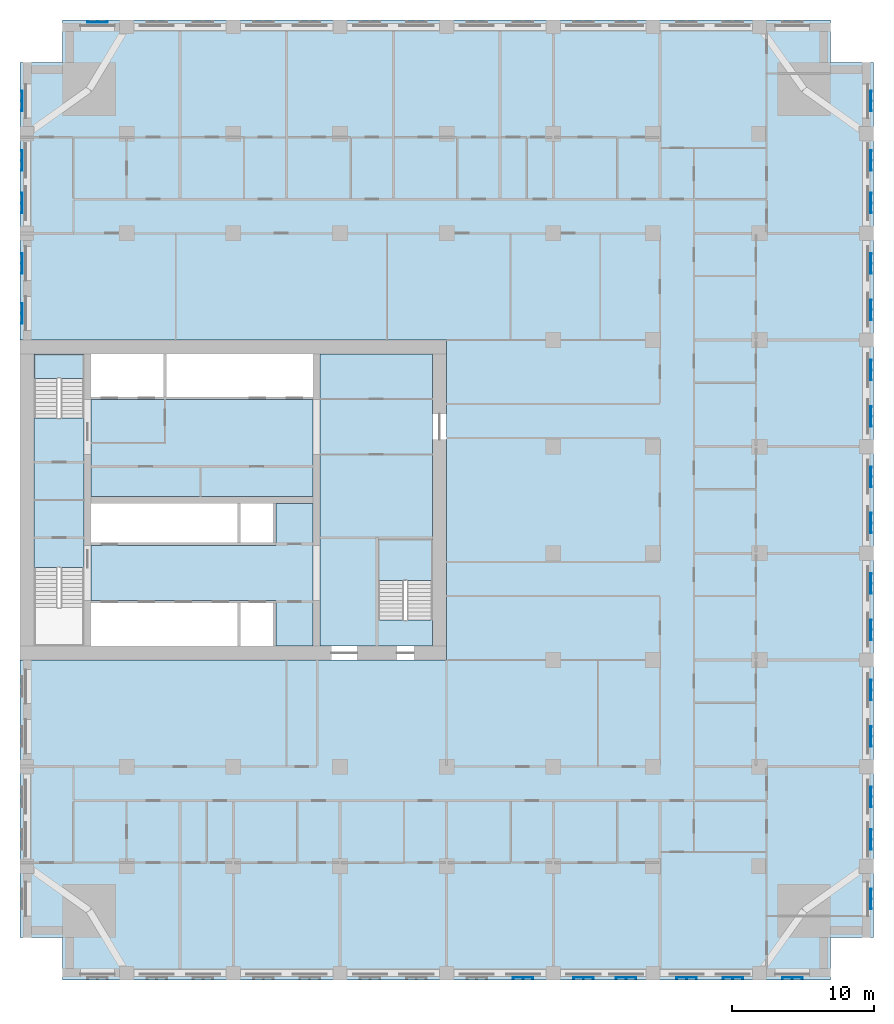
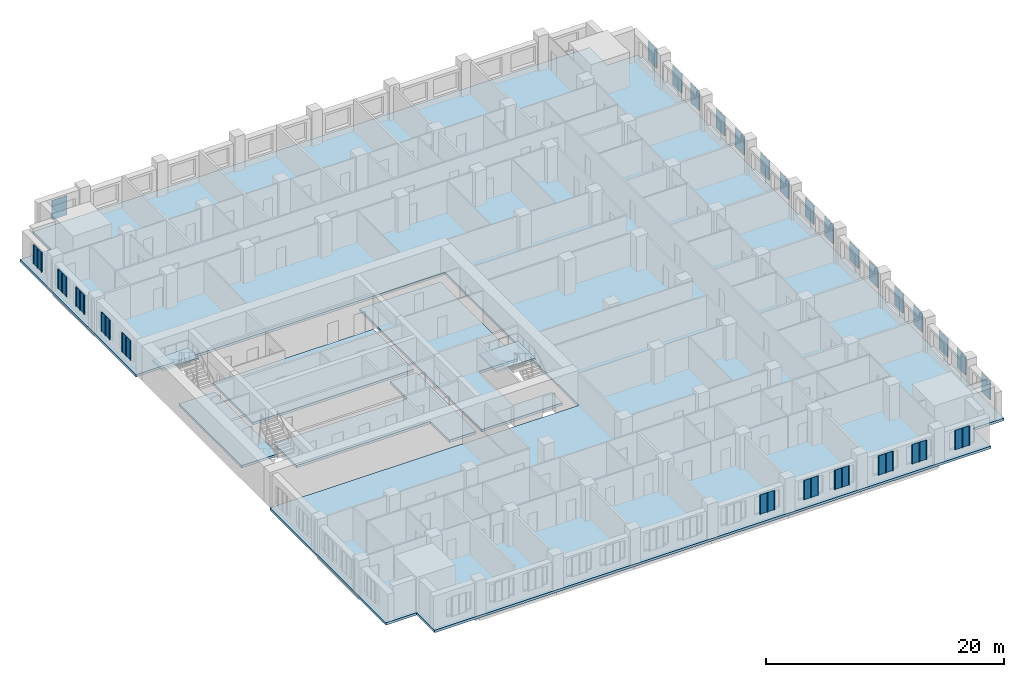
# One storey, part 2 of 14: 28 plates, 7 slabs, 2 elements without a shape of their own.
"""IFC4 building model written with IfcOpenShell, lengths in metres."""

from ifc_helpers import new_model, si_unit, direction, frame, origin, place, context, subcontext, project, spatial, polyline, outline, extrude, material, layer, layer_set, type_object, element, aggregate, save


model = new_model("IFC4")

# Units and contexts
model_context = context("Model", 3, precision=1e-05, world=origin(), true_north=direction((0.0, 1.0)))
body_context = subcontext(model_context, "Body", "Model", "MODEL_VIEW")
ifc_project = project(units=[si_unit("LENGTHUNIT", "METRE"), si_unit("AREAUNIT", "SQUARE_METRE"), si_unit("VOLUMEUNIT", "CUBIC_METRE"), si_unit("PLANEANGLEUNIT", "RADIAN"), si_unit("MASSUNIT", "GRAM", prefix="KILO")], contexts=[model_context])

# Site, building, storey
site_placement = place(None, origin())
site = spatial("IfcSite", under=ifc_project, at=site_placement, CompositionType="ELEMENT")
building_placement = place(site_placement, origin())
building = spatial("IfcBuilding", under=site, at=building_placement, Name="Tamorin Gate", CompositionType="ELEMENT")
storey_placement = place(building_placement, frame((0.0, 0.0, 86.300048828125)))
storey = spatial("IfcBuildingStorey", under=building, at=storey_placement, Name="L20", CompositionType="ELEMENT", Elevation=86.300048828125)

# Slabs
ifc_material_1 = material(Name="Concrete C40/50", Category="concrete")
ifc_layer_1 = layer(ifc_material_1, 0.25)
ifc_layer_set_1 = layer_set([ifc_layer_1], Name="Core floor slab 250 C40/50")
slab_type_1 = type_object("IfcSlabType", Name="Core floor slab 250 C40/50", PredefinedType="FLOOR", material=ifc_layer_set_1)
slab_1_placement = place(storey_placement, frame((0.0, 0.0, -0.25)))
element("IfcSlab", 1, at=slab_1_placement, inside=storey, type_object=slab_type_1, Name="Core floor L20", PredefinedType="FLOOR", context=body_context, shape_type="SweptSolid", body=[
    extrude(outline(polyline([(59.0, 62.800048828125), (59.0, 61.0), (51.10009765625, 61.0), (51.10009765625, 81.5), (59.0, 81.5), (59.0, 68.5), (55.199951171875, 68.5), (55.199951171875, 62.800048828125), (59.0, 62.800048828125)])), origin(), (0.0, 0.0, 1.0), 0.25),
])
slab_2_placement = place(storey_placement, frame((0.0, 0.0, -0.25)))
element("IfcSlab", 2, at=slab_2_placement, inside=storey, type_object=slab_type_1, Name="Core floor L20", PredefinedType="FLOOR", context=body_context, shape_type="SweptSolid", body=[
    extrude(outline(polyline([(50.60009765625, 61.0), (48.0, 61.0), (48.0, 64.199951171875), (35.0, 64.199951171875), (35.0, 68.050048828125), (48.0, 68.050048828125), (48.0, 71.0), (50.60009765625, 71.0), (50.60009765625, 61.0)])), origin(), (0.0, 0.0, 1.0), 0.25),
])
slab_3_placement = place(storey_placement, frame((0.0, 0.0, -0.25)))
element("IfcSlab", 3, at=slab_3_placement, inside=storey, type_object=slab_type_1, Name="Core floor L20", PredefinedType="FLOOR", context=body_context, shape_type="SweptSolid", body=[
    extrude(outline(polyline([(50.60009765625, 71.5), (35.0, 71.5), (35.0, 78.300048828125), (50.60009765625, 78.300048828125), (50.60009765625, 71.5)])), origin(), (0.0, 0.0, 1.0), 0.25),
])
slab_4_placement = place(storey_placement, frame((0.0, 0.0, -0.25)))
element("IfcSlab", 4, at=slab_4_placement, inside=storey, type_object=slab_type_1, Name="Core floor L20", PredefinedType="FLOOR", context=body_context, shape_type="SweptSolid", body=[
    extrude(outline(polyline([(31.0, 66.5), (31.0, 77.0), (34.5, 77.0), (34.5, 66.5), (31.0, 66.5)])), origin(), (0.0, 0.0, 1.0), 0.25),
])

# Stair, slab
stair_type = type_object("IfcStairType", Name="Exit stair", PredefinedType="HALF_TURN_STAIR", material=ifc_material_1)
stair_1_placement = place(storey_placement, origin())
stair_1 = element("IfcStair", 5, at=stair_1_placement, inside=storey, type_object=stair_type, Name="L20 stair ST2", PredefinedType="HALF_TURN_STAIR")
ifc_layer_2 = layer(ifc_material_1, 0.199951171875)
ifc_layer_set_2 = layer_set([ifc_layer_2], Name="Exit stair landing 200")
slab_type_2 = type_object("IfcSlabType", Name="Exit stair landing 200", PredefinedType="LANDING", material=ifc_layer_set_2)
slab_5_placement = place(storey_placement, frame((0.0, 0.0, 1.599853515625)))
slab_5 = element("IfcSlab", 6, at=slab_5_placement, type_object=slab_type_2, Name="ST2 landing 1", PredefinedType="LANDING", context=body_context, shape_type="SweptSolid", body=[
    extrude(outline(polyline([(34.5, 79.800048828125), (34.5, 81.5), (31.0, 81.5), (31.0, 79.800048828125), (34.5, 79.800048828125)])), origin(), (0.0, 0.0, 1.0), 0.2001953125),
])
aggregate(stair_1, [slab_5])

stair_2_placement = place(storey_placement, origin())
stair_2 = element("IfcStair", 7, at=stair_2_placement, inside=storey, type_object=stair_type, Name="L20 stair ST3", PredefinedType="HALF_TURN_STAIR")
slab_6_placement = place(storey_placement, frame((0.0, 0.0, 1.599853515625)))
slab_6 = element("IfcSlab", 8, at=slab_6_placement, type_object=slab_type_2, Name="ST3 landing 1", PredefinedType="LANDING", context=body_context, shape_type="SweptSolid", body=[
    extrude(outline(polyline([(59.0, 65.60009765625), (59.0, 68.5), (55.199951171875, 68.5), (55.199951171875, 65.60009765625), (59.0, 65.60009765625)])), origin(), (0.0, 0.0, 1.0), 0.2001953125),
])
aggregate(stair_2, [slab_6])

# Slab
ifc_layer_3 = layer(ifc_material_1, 0.25)
ifc_layer_set_3 = layer_set([ifc_layer_3], Name="Floor slab 250 C40/50")
slab_type_3 = type_object("IfcSlabType", Name="Floor slab 250 C40/50", PredefinedType="FLOOR", material=ifc_layer_set_3)
slab_7_placement = place(storey_placement, frame((0.0, 0.0, -0.25)))
element("IfcSlab", 9, at=slab_7_placement, inside=storey, type_object=slab_type_3, Name="Floor L20", PredefinedType="FLOOR", context=body_context, shape_type="SweptSolid", body=[
    extrude(outline(polyline([(30.0, 102.0), (33.0, 102.0), (33.0, 105.0), (87.0, 105.0), (87.0, 102.0), (90.0, 102.0), (90.0, 40.5), (87.0, 40.5), (87.0, 37.5), (33.0, 37.5), (33.0, 40.5), (30.0, 40.5), (30.0, 60.0), (60.0, 60.0), (60.0, 82.5), (30.0, 82.5), (30.0, 102.0)])), origin(), (0.0, 0.0, 1.0), 0.25),
])

# Plates
ifc_material_2 = material(Name="Perforated pale aluminium sheet", Category="aluminium")
ifc_layer_4 = layer(ifc_material_2, 0.0400390625)
ifc_layer_set_4 = layer_set([ifc_layer_4], Name="Pale metal solar screen 1440")
plate_type = type_object("IfcPlateType", Name="Pale metal solar screen 1440", PredefinedType="SHEET", material=ifc_layer_set_4)
plate_1_placement = place(storey_placement, frame((0.0, 0.0, 0.7099609375)))
element("IfcPlate", 10, at=plate_1_placement, inside=storey, type_object=plate_type, Name="Perforated solar screen", PredefinedType="SHEET", context=body_context, shape_type="SweptSolid", body=[
    extrude(outline(polyline([(64.655029296875, 37.659912109375), (64.655029296875, 37.699951171875), (64.715087890625, 37.699951171875), (65.344970703125, 37.699951171875), (65.405029296875, 37.699951171875), (66.034912109375, 37.699951171875), (66.094970703125, 37.699951171875), (66.094970703125, 37.659912109375), (66.094970703125, 37.60009765625), (66.034912109375, 37.60009765625), (66.034912109375, 37.659912109375), (65.405029296875, 37.659912109375), (65.405029296875, 37.60009765625), (65.344970703125, 37.60009765625), (65.344970703125, 37.659912109375), (64.715087890625, 37.659912109375), (64.715087890625, 37.60009765625), (64.655029296875, 37.60009765625), (64.655029296875, 37.659912109375)])), origin(), (0.0, 0.0, 1.0), 1.97998046875),
])
plate_2_placement = place(storey_placement, frame((0.0, 0.0, 0.7099609375)))
element("IfcPlate", 11, at=plate_2_placement, inside=storey, type_object=plate_type, Name="Perforated solar screen", PredefinedType="SHEET", context=body_context, shape_type="SweptSolid", body=[
    extrude(outline(polyline([(68.905029296875, 37.659912109375), (68.905029296875, 37.699951171875), (68.965087890625, 37.699951171875), (69.594970703125, 37.699951171875), (69.655029296875, 37.699951171875), (70.284912109375, 37.699951171875), (70.344970703125, 37.699951171875), (70.344970703125, 37.659912109375), (70.344970703125, 37.60009765625), (70.284912109375, 37.60009765625), (70.284912109375, 37.659912109375), (69.655029296875, 37.659912109375), (69.655029296875, 37.60009765625), (69.594970703125, 37.60009765625), (69.594970703125, 37.659912109375), (68.965087890625, 37.659912109375), (68.965087890625, 37.60009765625), (68.905029296875, 37.60009765625), (68.905029296875, 37.659912109375)])), origin(), (0.0, 0.0, 1.0), 1.97998046875),
])
plate_3_placement = place(storey_placement, frame((0.0, 0.0, 0.7099609375)))
element("IfcPlate", 12, at=plate_3_placement, inside=storey, type_object=plate_type, Name="Perforated solar screen", PredefinedType="SHEET", context=body_context, shape_type="SweptSolid", body=[
    extrude(outline(polyline([(71.905029296875, 37.659912109375), (71.905029296875, 37.699951171875), (71.965087890625, 37.699951171875), (72.594970703125, 37.699951171875), (72.655029296875, 37.699951171875), (73.284912109375, 37.699951171875), (73.344970703125, 37.699951171875), (73.344970703125, 37.659912109375), (73.344970703125, 37.60009765625), (73.284912109375, 37.60009765625), (73.284912109375, 37.659912109375), (72.655029296875, 37.659912109375), (72.655029296875, 37.60009765625), (72.594970703125, 37.60009765625), (72.594970703125, 37.659912109375), (71.965087890625, 37.659912109375), (71.965087890625, 37.60009765625), (71.905029296875, 37.60009765625), (71.905029296875, 37.659912109375)])), origin(), (0.0, 0.0, 1.0), 1.97998046875),
])
plate_4_placement = place(storey_placement, frame((0.0, 0.0, 0.7099609375)))
element("IfcPlate", 13, at=plate_4_placement, inside=storey, type_object=plate_type, Name="Perforated solar screen", PredefinedType="SHEET", context=body_context, shape_type="SweptSolid", body=[
    extrude(outline(polyline([(76.155029296875, 37.659912109375), (76.155029296875, 37.699951171875), (76.215087890625, 37.699951171875), (76.844970703125, 37.699951171875), (76.905029296875, 37.699951171875), (77.534912109375, 37.699951171875), (77.594970703125, 37.699951171875), (77.594970703125, 37.659912109375), (77.594970703125, 37.60009765625), (77.534912109375, 37.60009765625), (77.534912109375, 37.659912109375), (76.905029296875, 37.659912109375), (76.905029296875, 37.60009765625), (76.844970703125, 37.60009765625), (76.844970703125, 37.659912109375), (76.215087890625, 37.659912109375), (76.215087890625, 37.60009765625), (76.155029296875, 37.60009765625), (76.155029296875, 37.659912109375)])), origin(), (0.0, 0.0, 1.0), 1.97998046875),
])
plate_5_placement = place(storey_placement, frame((0.0, 0.0, 0.7099609375)))
element("IfcPlate", 14, at=plate_5_placement, inside=storey, type_object=plate_type, Name="Perforated solar screen", PredefinedType="SHEET", context=body_context, shape_type="SweptSolid", body=[
    extrude(outline(polyline([(79.405029296875, 37.659912109375), (79.405029296875, 37.699951171875), (79.465087890625, 37.699951171875), (80.094970703125, 37.699951171875), (80.155029296875, 37.699951171875), (80.784912109375, 37.699951171875), (80.844970703125, 37.699951171875), (80.844970703125, 37.659912109375), (80.844970703125, 37.60009765625), (80.784912109375, 37.60009765625), (80.784912109375, 37.659912109375), (80.155029296875, 37.659912109375), (80.155029296875, 37.60009765625), (80.094970703125, 37.60009765625), (80.094970703125, 37.659912109375), (79.465087890625, 37.659912109375), (79.465087890625, 37.60009765625), (79.405029296875, 37.60009765625), (79.405029296875, 37.659912109375)])), origin(), (0.0, 0.0, 1.0), 1.97998046875),
])
plate_6_placement = place(storey_placement, frame((0.0, 0.0, 0.7099609375)))
element("IfcPlate", 15, at=plate_6_placement, inside=storey, type_object=plate_type, Name="Perforated solar screen", PredefinedType="SHEET", context=body_context, shape_type="SweptSolid", body=[
    extrude(outline(polyline([(83.580078125, 37.659912109375), (83.580078125, 37.699951171875), (83.639892578125, 37.699951171875), (84.27001953125, 37.699951171875), (84.330078125, 37.699951171875), (84.9599609375, 37.699951171875), (85.02001953125, 37.699951171875), (85.02001953125, 37.659912109375), (85.02001953125, 37.60009765625), (84.9599609375, 37.60009765625), (84.9599609375, 37.659912109375), (84.330078125, 37.659912109375), (84.330078125, 37.60009765625), (84.27001953125, 37.60009765625), (84.27001953125, 37.659912109375), (83.639892578125, 37.659912109375), (83.639892578125, 37.60009765625), (83.580078125, 37.60009765625), (83.580078125, 37.659912109375)])), origin(), (0.0, 0.0, 1.0), 1.97998046875),
])
plate_7_placement = place(storey_placement, frame((0.0, 0.0, 0.7099609375)))
element("IfcPlate", 16, at=plate_7_placement, inside=storey, type_object=plate_type, Name="Perforated solar screen", PredefinedType="SHEET", context=body_context, shape_type="SweptSolid", body=[
    extrude(outline(polyline([(89.840087890625, 42.47998046875), (89.800048828125, 42.47998046875), (89.800048828125, 42.5400390625), (89.800048828125, 43.169921875), (89.800048828125, 43.22998046875), (89.800048828125, 43.860107421875), (89.800048828125, 43.919921875), (89.840087890625, 43.919921875), (89.89990234375, 43.919921875), (89.89990234375, 43.860107421875), (89.840087890625, 43.860107421875), (89.840087890625, 43.22998046875), (89.89990234375, 43.22998046875), (89.89990234375, 43.169921875), (89.840087890625, 43.169921875), (89.840087890625, 42.5400390625), (89.89990234375, 42.5400390625), (89.89990234375, 42.47998046875), (89.840087890625, 42.47998046875)])), origin(), (0.0, 0.0, 1.0), 1.97998046875),
])
plate_8_placement = place(storey_placement, frame((0.0, 0.0, 0.7099609375)))
element("IfcPlate", 17, at=plate_8_placement, inside=storey, type_object=plate_type, Name="Perforated solar screen", PredefinedType="SHEET", context=body_context, shape_type="SweptSolid", body=[
    extrude(outline(polyline([(89.840087890625, 46.655029296875), (89.800048828125, 46.655029296875), (89.800048828125, 46.715087890625), (89.800048828125, 47.344970703125), (89.800048828125, 47.405029296875), (89.800048828125, 48.034912109375), (89.800048828125, 48.094970703125), (89.800048828125, 48.094970703125), (89.840087890625, 48.094970703125), (89.840087890625, 48.094970703125), (89.89990234375, 48.094970703125), (89.89990234375, 48.034912109375), (89.840087890625, 48.034912109375), (89.840087890625, 47.405029296875), (89.89990234375, 47.405029296875), (89.89990234375, 47.344970703125), (89.840087890625, 47.344970703125), (89.840087890625, 46.715087890625), (89.89990234375, 46.715087890625), (89.89990234375, 46.655029296875), (89.840087890625, 46.655029296875)])), origin(), (0.0, 0.0, 1.0), 1.97998046875),
])
plate_9_placement = place(storey_placement, frame((0.0, 0.0, 0.7099609375)))
element("IfcPlate", 18, at=plate_9_placement, inside=storey, type_object=plate_type, Name="Perforated solar screen", PredefinedType="SHEET", context=body_context, shape_type="SweptSolid", body=[
    extrude(outline(polyline([(89.840087890625, 49.655029296875), (89.800048828125, 49.655029296875), (89.800048828125, 49.715087890625), (89.800048828125, 50.344970703125), (89.800048828125, 50.405029296875), (89.800048828125, 51.034912109375), (89.800048828125, 51.094970703125), (89.840087890625, 51.094970703125), (89.89990234375, 51.094970703125), (89.89990234375, 51.034912109375), (89.840087890625, 51.034912109375), (89.840087890625, 50.405029296875), (89.89990234375, 50.405029296875), (89.89990234375, 50.344970703125), (89.840087890625, 50.344970703125), (89.840087890625, 49.715087890625), (89.89990234375, 49.715087890625), (89.89990234375, 49.655029296875), (89.840087890625, 49.655029296875)])), origin(), (0.0, 0.0, 1.0), 1.97998046875),
])
plate_10_placement = place(storey_placement, frame((0.0, 0.0, 0.7099609375)))
element("IfcPlate", 19, at=plate_10_placement, inside=storey, type_object=plate_type, Name="Perforated solar screen", PredefinedType="SHEET", context=body_context, shape_type="SweptSolid", body=[
    extrude(outline(polyline([(89.840087890625, 53.905029296875), (89.800048828125, 53.905029296875), (89.800048828125, 53.965087890625), (89.800048828125, 54.594970703125), (89.800048828125, 54.655029296875), (89.800048828125, 55.284912109375), (89.800048828125, 55.344970703125), (89.840087890625, 55.344970703125), (89.89990234375, 55.344970703125), (89.89990234375, 55.284912109375), (89.840087890625, 55.284912109375), (89.840087890625, 54.655029296875), (89.89990234375, 54.655029296875), (89.89990234375, 54.594970703125), (89.840087890625, 54.594970703125), (89.840087890625, 53.965087890625), (89.89990234375, 53.965087890625), (89.89990234375, 53.905029296875), (89.840087890625, 53.905029296875)])), origin(), (0.0, 0.0, 1.0), 1.97998046875),
])
plate_11_placement = place(storey_placement, frame((0.0, 0.0, 0.7099609375)))
element("IfcPlate", 20, at=plate_11_placement, inside=storey, type_object=plate_type, Name="Perforated solar screen", PredefinedType="SHEET", context=body_context, shape_type="SweptSolid", body=[
    extrude(outline(polyline([(89.840087890625, 57.155029296875), (89.800048828125, 57.155029296875), (89.800048828125, 57.215087890625), (89.800048828125, 57.844970703125), (89.800048828125, 57.905029296875), (89.800048828125, 58.534912109375), (89.800048828125, 58.594970703125), (89.840087890625, 58.594970703125), (89.89990234375, 58.594970703125), (89.89990234375, 58.534912109375), (89.840087890625, 58.534912109375), (89.840087890625, 57.905029296875), (89.89990234375, 57.905029296875), (89.89990234375, 57.844970703125), (89.840087890625, 57.844970703125), (89.840087890625, 57.215087890625), (89.89990234375, 57.215087890625), (89.89990234375, 57.155029296875), (89.840087890625, 57.155029296875)])), origin(), (0.0, 0.0, 1.0), 1.97998046875),
])
plate_12_placement = place(storey_placement, frame((0.0, 0.0, 0.7099609375)))
element("IfcPlate", 21, at=plate_12_placement, inside=storey, type_object=plate_type, Name="Perforated solar screen", PredefinedType="SHEET", context=body_context, shape_type="SweptSolid", body=[
    extrude(outline(polyline([(89.840087890625, 61.405029296875), (89.800048828125, 61.405029296875), (89.800048828125, 61.465087890625), (89.800048828125, 62.094970703125), (89.800048828125, 62.155029296875), (89.800048828125, 62.784912109375), (89.800048828125, 62.844970703125), (89.840087890625, 62.844970703125), (89.89990234375, 62.844970703125), (89.89990234375, 62.784912109375), (89.840087890625, 62.784912109375), (89.840087890625, 62.155029296875), (89.89990234375, 62.155029296875), (89.89990234375, 62.094970703125), (89.840087890625, 62.094970703125), (89.840087890625, 61.465087890625), (89.89990234375, 61.465087890625), (89.89990234375, 61.405029296875), (89.840087890625, 61.405029296875)])), origin(), (0.0, 0.0, 1.0), 1.97998046875),
])
plate_13_placement = place(storey_placement, frame((0.0, 0.0, 0.7099609375)))
element("IfcPlate", 22, at=plate_13_placement, inside=storey, type_object=plate_type, Name="Perforated solar screen", PredefinedType="SHEET", context=body_context, shape_type="SweptSolid", body=[
    extrude(outline(polyline([(89.840087890625, 64.655029296875), (89.800048828125, 64.655029296875), (89.800048828125, 64.715087890625), (89.800048828125, 65.344970703125), (89.800048828125, 65.405029296875), (89.800048828125, 66.034912109375), (89.800048828125, 66.094970703125), (89.840087890625, 66.094970703125), (89.89990234375, 66.094970703125), (89.89990234375, 66.034912109375), (89.840087890625, 66.034912109375), (89.840087890625, 65.405029296875), (89.89990234375, 65.405029296875), (89.89990234375, 65.344970703125), (89.840087890625, 65.344970703125), (89.840087890625, 64.715087890625), (89.89990234375, 64.715087890625), (89.89990234375, 64.655029296875), (89.840087890625, 64.655029296875)])), origin(), (0.0, 0.0, 1.0), 1.97998046875),
])
plate_14_placement = place(storey_placement, frame((0.0, 0.0, 0.7099609375)))
element("IfcPlate", 23, at=plate_14_placement, inside=storey, type_object=plate_type, Name="Perforated solar screen", PredefinedType="SHEET", context=body_context, shape_type="SweptSolid", body=[
    extrude(outline(polyline([(89.840087890625, 68.905029296875), (89.800048828125, 68.905029296875), (89.800048828125, 68.965087890625), (89.800048828125, 69.594970703125), (89.800048828125, 69.655029296875), (89.800048828125, 70.284912109375), (89.800048828125, 70.344970703125), (89.840087890625, 70.344970703125), (89.89990234375, 70.344970703125), (89.89990234375, 70.284912109375), (89.840087890625, 70.284912109375), (89.840087890625, 69.655029296875), (89.89990234375, 69.655029296875), (89.89990234375, 69.594970703125), (89.840087890625, 69.594970703125), (89.840087890625, 68.965087890625), (89.89990234375, 68.965087890625), (89.89990234375, 68.905029296875), (89.840087890625, 68.905029296875)])), origin(), (0.0, 0.0, 1.0), 1.97998046875),
])
plate_15_placement = place(storey_placement, frame((0.0, 0.0, 0.7099609375)))
element("IfcPlate", 24, at=plate_15_placement, inside=storey, type_object=plate_type, Name="Perforated solar screen", PredefinedType="SHEET", context=body_context, shape_type="SweptSolid", body=[
    extrude(outline(polyline([(89.840087890625, 72.155029296875), (89.800048828125, 72.155029296875), (89.800048828125, 72.215087890625), (89.800048828125, 72.844970703125), (89.800048828125, 72.905029296875), (89.800048828125, 73.534912109375), (89.800048828125, 73.594970703125), (89.840087890625, 73.594970703125), (89.89990234375, 73.594970703125), (89.89990234375, 73.534912109375), (89.840087890625, 73.534912109375), (89.840087890625, 72.905029296875), (89.89990234375, 72.905029296875), (89.89990234375, 72.844970703125), (89.840087890625, 72.844970703125), (89.840087890625, 72.215087890625), (89.89990234375, 72.215087890625), (89.89990234375, 72.155029296875), (89.840087890625, 72.155029296875)])), origin(), (0.0, 0.0, 1.0), 1.97998046875),
])
plate_16_placement = place(storey_placement, frame((0.0, 0.0, 0.7099609375)))
element("IfcPlate", 25, at=plate_16_placement, inside=storey, type_object=plate_type, Name="Perforated solar screen", PredefinedType="SHEET", context=body_context, shape_type="SweptSolid", body=[
    extrude(outline(polyline([(89.840087890625, 76.405029296875), (89.800048828125, 76.405029296875), (89.800048828125, 76.465087890625), (89.800048828125, 77.094970703125), (89.800048828125, 77.155029296875), (89.800048828125, 77.784912109375), (89.800048828125, 77.844970703125), (89.840087890625, 77.844970703125), (89.89990234375, 77.844970703125), (89.89990234375, 77.784912109375), (89.840087890625, 77.784912109375), (89.840087890625, 77.155029296875), (89.89990234375, 77.155029296875), (89.89990234375, 77.094970703125), (89.840087890625, 77.094970703125), (89.840087890625, 76.465087890625), (89.89990234375, 76.465087890625), (89.89990234375, 76.405029296875), (89.840087890625, 76.405029296875)])), origin(), (0.0, 0.0, 1.0), 1.97998046875),
])
plate_17_placement = place(storey_placement, frame((0.0, 0.0, 0.7099609375)))
element("IfcPlate", 26, at=plate_17_placement, inside=storey, type_object=plate_type, Name="Perforated solar screen", PredefinedType="SHEET", context=body_context, shape_type="SweptSolid", body=[
    extrude(outline(polyline([(89.840087890625, 79.655029296875), (89.800048828125, 79.655029296875), (89.800048828125, 79.715087890625), (89.800048828125, 80.344970703125), (89.800048828125, 80.405029296875), (89.800048828125, 81.034912109375), (89.800048828125, 81.094970703125), (89.840087890625, 81.094970703125), (89.89990234375, 81.094970703125), (89.89990234375, 81.034912109375), (89.840087890625, 81.034912109375), (89.840087890625, 80.405029296875), (89.89990234375, 80.405029296875), (89.89990234375, 80.344970703125), (89.840087890625, 80.344970703125), (89.840087890625, 79.715087890625), (89.89990234375, 79.715087890625), (89.89990234375, 79.655029296875), (89.840087890625, 79.655029296875)])), origin(), (0.0, 0.0, 1.0), 1.97998046875),
])
plate_18_placement = place(storey_placement, frame((0.0, 0.0, 0.7099609375)))
element("IfcPlate", 27, at=plate_18_placement, inside=storey, type_object=plate_type, Name="Perforated solar screen", PredefinedType="SHEET", context=body_context, shape_type="SweptSolid", body=[
    extrude(outline(polyline([(89.840087890625, 83.905029296875), (89.800048828125, 83.905029296875), (89.800048828125, 83.965087890625), (89.800048828125, 84.594970703125), (89.800048828125, 84.655029296875), (89.800048828125, 85.284912109375), (89.800048828125, 85.344970703125), (89.840087890625, 85.344970703125), (89.89990234375, 85.344970703125), (89.89990234375, 85.284912109375), (89.840087890625, 85.284912109375), (89.840087890625, 84.655029296875), (89.89990234375, 84.655029296875), (89.89990234375, 84.594970703125), (89.840087890625, 84.594970703125), (89.840087890625, 83.965087890625), (89.89990234375, 83.965087890625), (89.89990234375, 83.905029296875), (89.840087890625, 83.905029296875)])), origin(), (0.0, 0.0, 1.0), 1.97998046875),
])
plate_19_placement = place(storey_placement, frame((0.0, 0.0, 0.7099609375)))
element("IfcPlate", 28, at=plate_19_placement, inside=storey, type_object=plate_type, Name="Perforated solar screen", PredefinedType="SHEET", context=body_context, shape_type="SweptSolid", body=[
    extrude(outline(polyline([(89.840087890625, 87.155029296875), (89.800048828125, 87.155029296875), (89.800048828125, 87.215087890625), (89.800048828125, 87.844970703125), (89.800048828125, 87.905029296875), (89.800048828125, 88.534912109375), (89.800048828125, 88.594970703125), (89.840087890625, 88.594970703125), (89.89990234375, 88.594970703125), (89.89990234375, 88.534912109375), (89.840087890625, 88.534912109375), (89.840087890625, 87.905029296875), (89.89990234375, 87.905029296875), (89.89990234375, 87.844970703125), (89.840087890625, 87.844970703125), (89.840087890625, 87.215087890625), (89.89990234375, 87.215087890625), (89.89990234375, 87.155029296875), (89.840087890625, 87.155029296875)])), origin(), (0.0, 0.0, 1.0), 1.97998046875),
])
plate_20_placement = place(storey_placement, frame((0.0, 0.0, 0.7099609375)))
element("IfcPlate", 29, at=plate_20_placement, inside=storey, type_object=plate_type, Name="Perforated solar screen", PredefinedType="SHEET", context=body_context, shape_type="SweptSolid", body=[
    extrude(outline(polyline([(89.840087890625, 91.405029296875), (89.800048828125, 91.405029296875), (89.800048828125, 91.465087890625), (89.800048828125, 92.094970703125), (89.800048828125, 92.155029296875), (89.800048828125, 92.784912109375), (89.800048828125, 92.844970703125), (89.840087890625, 92.844970703125), (89.89990234375, 92.844970703125), (89.89990234375, 92.784912109375), (89.840087890625, 92.784912109375), (89.840087890625, 92.155029296875), (89.89990234375, 92.155029296875), (89.89990234375, 92.094970703125), (89.840087890625, 92.094970703125), (89.840087890625, 91.465087890625), (89.89990234375, 91.465087890625), (89.89990234375, 91.405029296875), (89.840087890625, 91.405029296875)])), origin(), (0.0, 0.0, 1.0), 1.97998046875),
])
plate_21_placement = place(storey_placement, frame((0.0, 0.0, 0.7099609375)))
element("IfcPlate", 30, at=plate_21_placement, inside=storey, type_object=plate_type, Name="Perforated solar screen", PredefinedType="SHEET", context=body_context, shape_type="SweptSolid", body=[
    extrude(outline(polyline([(89.840087890625, 94.405029296875), (89.800048828125, 94.405029296875), (89.800048828125, 94.465087890625), (89.800048828125, 95.094970703125), (89.800048828125, 95.155029296875), (89.800048828125, 95.784912109375), (89.800048828125, 95.844970703125), (89.840087890625, 95.844970703125), (89.89990234375, 95.844970703125), (89.89990234375, 95.784912109375), (89.840087890625, 95.784912109375), (89.840087890625, 95.155029296875), (89.89990234375, 95.155029296875), (89.89990234375, 95.094970703125), (89.840087890625, 95.094970703125), (89.840087890625, 94.465087890625), (89.89990234375, 94.465087890625), (89.89990234375, 94.405029296875), (89.840087890625, 94.405029296875)])), origin(), (0.0, 0.0, 1.0), 1.97998046875),
])
plate_22_placement = place(storey_placement, frame((0.0, 0.0, 0.7099609375)))
element("IfcPlate", 31, at=plate_22_placement, inside=storey, type_object=plate_type, Name="Perforated solar screen", PredefinedType="SHEET", context=body_context, shape_type="SweptSolid", body=[
    extrude(outline(polyline([(89.840087890625, 98.580078125), (89.800048828125, 98.580078125), (89.800048828125, 98.639892578125), (89.800048828125, 99.27001953125), (89.800048828125, 99.330078125), (89.800048828125, 99.9599609375), (89.800048828125, 100.02001953125), (89.840087890625, 100.02001953125), (89.89990234375, 100.02001953125), (89.89990234375, 99.9599609375), (89.840087890625, 99.9599609375), (89.840087890625, 99.330078125), (89.89990234375, 99.330078125), (89.89990234375, 99.27001953125), (89.840087890625, 99.27001953125), (89.840087890625, 98.639892578125), (89.89990234375, 98.639892578125), (89.89990234375, 98.580078125), (89.840087890625, 98.580078125)])), origin(), (0.0, 0.0, 1.0), 1.97998046875),
])
plate_23_placement = place(storey_placement, frame((0.0, 0.0, 0.7099609375)))
element("IfcPlate", 32, at=plate_23_placement, inside=storey, type_object=plate_type, Name="Perforated solar screen", PredefinedType="SHEET", context=body_context, shape_type="SweptSolid", body=[
    extrude(outline(polyline([(36.169921875, 104.840087890625), (36.169921875, 104.800048828125), (36.110107421875, 104.800048828125), (35.47998046875, 104.800048828125), (35.419921875, 104.800048828125), (34.7900390625, 104.800048828125), (34.72998046875, 104.800048828125), (34.72998046875, 104.840087890625), (34.72998046875, 104.89990234375), (34.7900390625, 104.89990234375), (34.7900390625, 104.840087890625), (35.419921875, 104.840087890625), (35.419921875, 104.89990234375), (35.47998046875, 104.89990234375), (35.47998046875, 104.840087890625), (36.110107421875, 104.840087890625), (36.110107421875, 104.89990234375), (36.169921875, 104.89990234375), (36.169921875, 104.840087890625)])), origin(), (0.0, 0.0, 1.0), 1.97998046875),
])
plate_24_placement = place(storey_placement, frame((0.0, 0.0, 0.7099609375)))
element("IfcPlate", 33, at=plate_24_placement, inside=storey, type_object=plate_type, Name="Perforated solar screen", PredefinedType="SHEET", context=body_context, shape_type="SweptSolid", body=[
    extrude(outline(polyline([(30.159912109375, 100.02001953125), (30.199951171875, 100.02001953125), (30.199951171875, 99.9599609375), (30.199951171875, 99.330078125), (30.199951171875, 99.27001953125), (30.199951171875, 98.639892578125), (30.199951171875, 98.580078125), (30.159912109375, 98.580078125), (30.10009765625, 98.580078125), (30.10009765625, 98.639892578125), (30.159912109375, 98.639892578125), (30.159912109375, 99.27001953125), (30.10009765625, 99.27001953125), (30.10009765625, 99.330078125), (30.159912109375, 99.330078125), (30.159912109375, 99.9599609375), (30.10009765625, 99.9599609375), (30.10009765625, 100.02001953125), (30.159912109375, 100.02001953125)])), origin(), (0.0, 0.0, 1.0), 1.97998046875),
])
plate_25_placement = place(storey_placement, frame((0.0, 0.0, 0.7099609375)))
element("IfcPlate", 34, at=plate_25_placement, inside=storey, type_object=plate_type, Name="Perforated solar screen", PredefinedType="SHEET", context=body_context, shape_type="SweptSolid", body=[
    extrude(outline(polyline([(30.159912109375, 92.844970703125), (30.199951171875, 92.844970703125), (30.199951171875, 92.784912109375), (30.199951171875, 92.155029296875), (30.199951171875, 92.094970703125), (30.199951171875, 91.465087890625), (30.199951171875, 91.405029296875), (30.159912109375, 91.405029296875), (30.10009765625, 91.405029296875), (30.10009765625, 91.465087890625), (30.159912109375, 91.465087890625), (30.159912109375, 92.094970703125), (30.10009765625, 92.094970703125), (30.10009765625, 92.155029296875), (30.159912109375, 92.155029296875), (30.159912109375, 92.784912109375), (30.10009765625, 92.784912109375), (30.10009765625, 92.844970703125), (30.159912109375, 92.844970703125)])), origin(), (0.0, 0.0, 1.0), 1.97998046875),
])
plate_26_placement = place(storey_placement, frame((0.0, 0.0, 0.7099609375)))
element("IfcPlate", 35, at=plate_26_placement, inside=storey, type_object=plate_type, Name="Perforated solar screen", PredefinedType="SHEET", context=body_context, shape_type="SweptSolid", body=[
    extrude(outline(polyline([(30.159912109375, 95.844970703125), (30.199951171875, 95.844970703125), (30.199951171875, 95.784912109375), (30.199951171875, 95.155029296875), (30.199951171875, 95.094970703125), (30.199951171875, 94.465087890625), (30.199951171875, 94.405029296875), (30.199951171875, 94.405029296875), (30.159912109375, 94.405029296875), (30.159912109375, 94.405029296875), (30.10009765625, 94.405029296875), (30.10009765625, 94.465087890625), (30.159912109375, 94.465087890625), (30.159912109375, 95.094970703125), (30.10009765625, 95.094970703125), (30.10009765625, 95.155029296875), (30.159912109375, 95.155029296875), (30.159912109375, 95.784912109375), (30.10009765625, 95.784912109375), (30.10009765625, 95.844970703125), (30.159912109375, 95.844970703125)])), origin(), (0.0, 0.0, 1.0), 1.97998046875),
])
plate_27_placement = place(storey_placement, frame((0.0, 0.0, 0.7099609375)))
element("IfcPlate", 36, at=plate_27_placement, inside=storey, type_object=plate_type, Name="Perforated solar screen", PredefinedType="SHEET", context=body_context, shape_type="SweptSolid", body=[
    extrude(outline(polyline([(30.159912109375, 85.094970703125), (30.199951171875, 85.094970703125), (30.199951171875, 85.034912109375), (30.199951171875, 84.405029296875), (30.199951171875, 84.344970703125), (30.199951171875, 83.715087890625), (30.199951171875, 83.655029296875), (30.159912109375, 83.655029296875), (30.10009765625, 83.655029296875), (30.10009765625, 83.715087890625), (30.159912109375, 83.715087890625), (30.159912109375, 84.344970703125), (30.10009765625, 84.344970703125), (30.10009765625, 84.405029296875), (30.159912109375, 84.405029296875), (30.159912109375, 85.034912109375), (30.10009765625, 85.034912109375), (30.10009765625, 85.094970703125), (30.159912109375, 85.094970703125)])), origin(), (0.0, 0.0, 1.0), 1.97998046875),
])
plate_28_placement = place(storey_placement, frame((0.0, 0.0, 0.7099609375)))
element("IfcPlate", 37, at=plate_28_placement, inside=storey, type_object=plate_type, Name="Perforated solar screen", PredefinedType="SHEET", context=body_context, shape_type="SweptSolid", body=[
    extrude(outline(polyline([(30.159912109375, 88.594970703125), (30.199951171875, 88.594970703125), (30.199951171875, 88.534912109375), (30.199951171875, 87.905029296875), (30.199951171875, 87.844970703125), (30.199951171875, 87.215087890625), (30.199951171875, 87.155029296875), (30.159912109375, 87.155029296875), (30.10009765625, 87.155029296875), (30.10009765625, 87.215087890625), (30.159912109375, 87.215087890625), (30.159912109375, 87.844970703125), (30.10009765625, 87.844970703125), (30.10009765625, 87.905029296875), (30.159912109375, 87.905029296875), (30.159912109375, 88.534912109375), (30.10009765625, 88.534912109375), (30.10009765625, 88.594970703125), (30.159912109375, 88.594970703125)])), origin(), (0.0, 0.0, 1.0), 1.97998046875),
])

save(model, "model.ifc")
